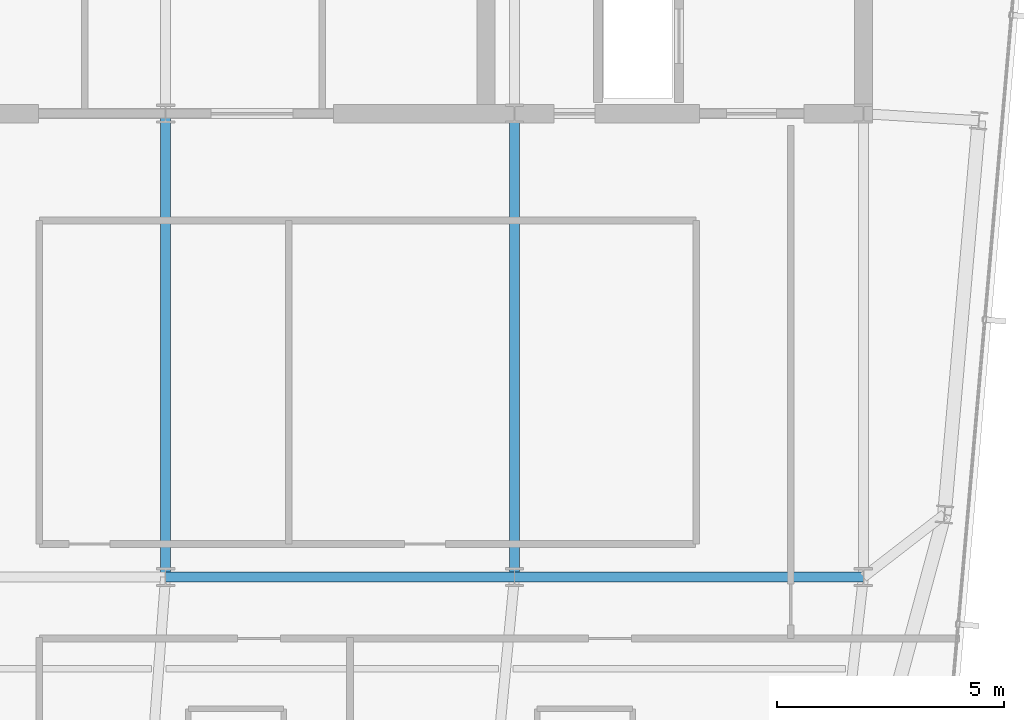
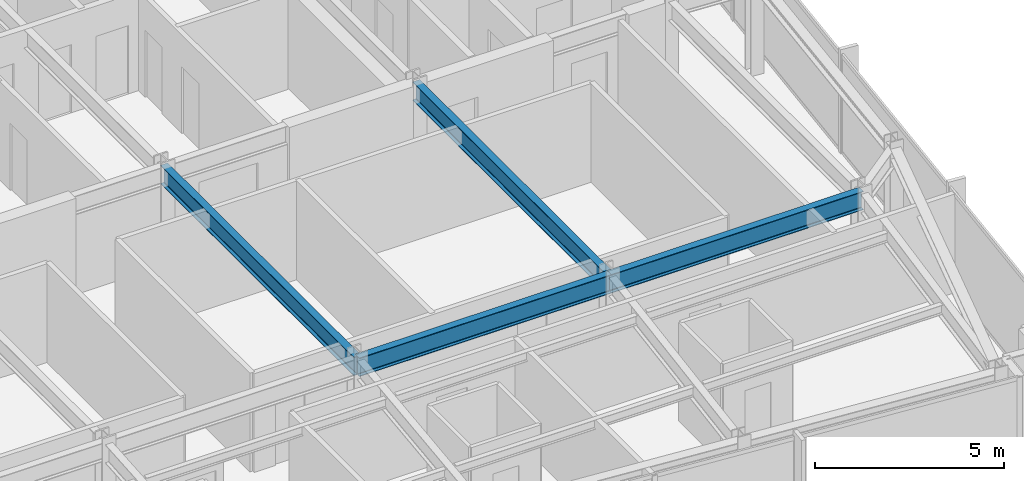
# One storey, part 15 of 33: 4 beams.
"""IFC4 building model written with IfcOpenShell, lengths in metres."""

from ifc_helpers import new_model, si_unit, direction, frame, origin, origin_2d, place, context, subcontext, project, spatial, i_section, extrude, material, material_profile, profile_set, type_object, element, save


model = new_model("IFC4")

# Units and contexts
model_context = context("Model", 3, precision=1e-05, world=origin(), true_north=direction((0.0, 1.0)))
body_context = subcontext(model_context, "Body", "Model", "MODEL_VIEW")
ifc_project = project(units=[si_unit("LENGTHUNIT", "METRE"), si_unit("AREAUNIT", "SQUARE_METRE"), si_unit("VOLUMEUNIT", "CUBIC_METRE"), si_unit("PLANEANGLEUNIT", "RADIAN"), si_unit("MASSUNIT", "GRAM", prefix="KILO")], contexts=[model_context])

# Site, building, storey
site_placement = place(None, origin())
site = spatial("IfcSite", under=ifc_project, at=site_placement, CompositionType="ELEMENT")
building_placement = place(site_placement, origin())
building = spatial("IfcBuilding", under=site, at=building_placement, Name="Yelkora Congress Tower", CompositionType="ELEMENT")
storey_placement = place(building_placement, frame((0.0, 0.0, 286.300048828125)))
storey = spatial("IfcBuildingStorey", under=building, at=storey_placement, Name="L80", CompositionType="ELEMENT", Elevation=286.300048828125)

# Beams
ifc_material = material(Name="Steel S355J2", Category="steel")
ifc_material_profile = material_profile(ifc_material, i_section(OverallWidth=0.219970703125, OverallDepth=0.60009765625, WebThickness=0.011962890625, FlangeThickness=0.01904296875, FilletRadius=0.02392578125, at=origin_2d()), Name="IPE 600")
ifc_profile_set = profile_set([ifc_material_profile], Name="Steel S355J2")
beam_type = type_object("IfcBeamType", Name="BM-GIRD-IPE600", PredefinedType="BEAM", material=ifc_profile_set)
beam_1_placement = place(storey_placement, frame((38.39990234375, 25.199951171875, 2.8798828125), z_axis=(1.0, 0.0, 0.0), x_axis=(0.0, 1.0, 0.0)))
element("IfcBeam", 1, at=beam_1_placement, inside=storey, type_object=beam_type, Name="L80 Spine Grid D Girder 3", PredefinedType="BEAM", context=body_context, shape_type="SweptSolid", body=[
    extrude(i_section(OverallWidth=0.219970703125, OverallDepth=0.60009765625, WebThickness=0.011962890625, FlangeThickness=0.01904296875, FilletRadius=0.02392578125, at=origin_2d()), origin(), (0.0, 0.0, 1.0), 7.68017578125),
])
beam_2_placement = place(storey_placement, frame((46.080078125, 25.199951171875, 2.8798828125), z_axis=(1.0, 0.0, 0.0), x_axis=(0.0, 1.0, 0.0)))
element("IfcBeam", 2, at=beam_2_placement, inside=storey, type_object=beam_type, Name="L80 Spine Grid D Girder 4", PredefinedType="BEAM", context=body_context, shape_type="SweptSolid", body=[
    extrude(i_section(OverallWidth=0.219970703125, OverallDepth=0.60009765625, WebThickness=0.011962890625, FlangeThickness=0.01904296875, FilletRadius=0.02392578125, at=origin_2d()), origin(), (0.0, 0.0, 1.0), 7.679931640625),
])
for number, where, z_axis, x_axis, name in (
    (3, (38.39990234375, 25.199951171875, 2.8798828125), (0.0, 1.0, 0.0), (-1.0, 0.0, 0.0), "L80 Core Tie Girder MC-D3"),
    (4, (46.080078125, 25.199951171875, 2.8798828125), (0.0, 1.0, 0.0), (-1.0, 0.0, 0.0), "L80 Core Tie Girder MC-D4"),
):
    element("IfcBeam", number, at=place(storey_placement, frame(where, z_axis=z_axis, x_axis=x_axis)), inside=storey, type_object=beam_type, Name=name, PredefinedType="BEAM", context=body_context, shape_type="SweptSolid", body=[
        extrude(i_section(OverallWidth=0.219970703125, OverallDepth=0.60009765625, WebThickness=0.011962890625, FlangeThickness=0.01904296875, FilletRadius=0.02392578125, at=origin_2d()), origin(), (0.0, 0.0, 1.0), 10.199951171875),
    ])

save(model, "model.ifc")
